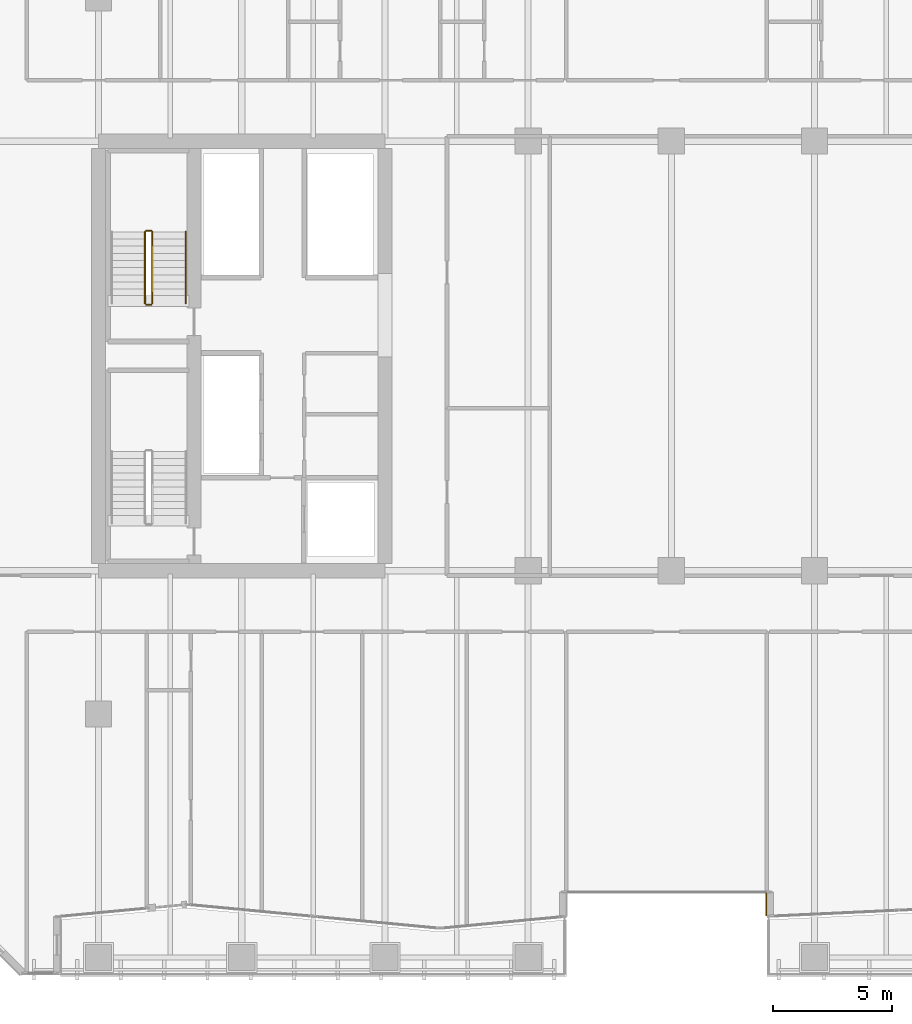
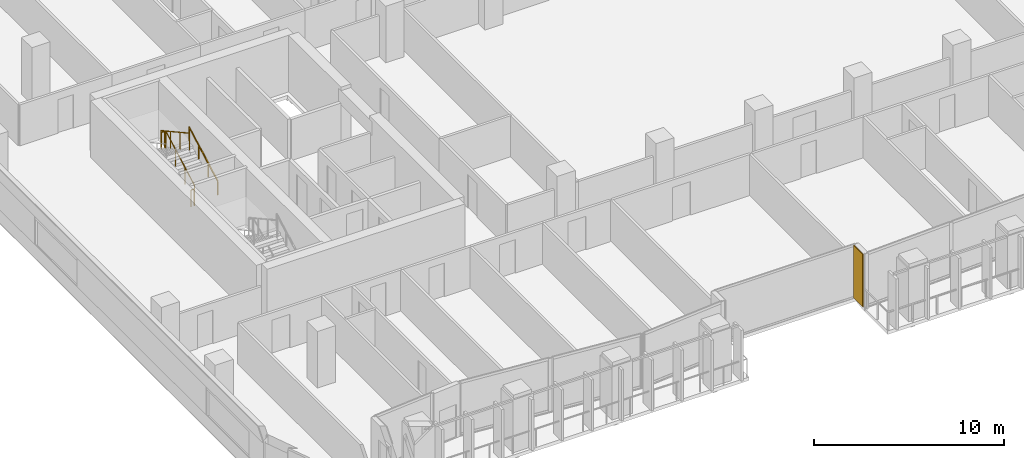
# One storey, part 28 of 31: 5 railings, 1 covering.
"""IFC4 building model written with IfcOpenShell, lengths in metres."""

from ifc_helpers import new_model, si_unit, direction, frame, origin, origin_2d, place, context, subcontext, project, spatial, rectangle, extrude, material, layer, layer_set, type_object, element, save


model = new_model("IFC4")

# Units and contexts
model_context = context("Model", 3, precision=1e-05, world=origin(), true_north=direction((0.0, 1.0)))
body_context = subcontext(model_context, "Body", "Model", "MODEL_VIEW")
ifc_project = project(units=[si_unit("LENGTHUNIT", "METRE"), si_unit("AREAUNIT", "SQUARE_METRE"), si_unit("VOLUMEUNIT", "CUBIC_METRE"), si_unit("PLANEANGLEUNIT", "RADIAN"), si_unit("MASSUNIT", "GRAM", prefix="KILO")], contexts=[model_context])

# Site, building, storey
site_placement = place(None, origin())
site = spatial("IfcSite", under=ifc_project, at=site_placement, CompositionType="ELEMENT")
building_placement = place(site_placement, origin())
building = spatial("IfcBuilding", under=site, at=building_placement, Name="Tanjung Sevakor Pilgrim Tower", CompositionType="ELEMENT")
storey_placement = place(building_placement, frame((0.0, 0.0, 58.739990234375)))
storey = spatial("IfcBuildingStorey", under=building, at=storey_placement, Name="L16", CompositionType="ELEMENT", Elevation=58.739990234375)

# Covering
ifc_material_1 = material(Name="Reconstructed Limestone Cladding", Category="masonry")
ifc_layer = layer(ifc_material_1, 0.044921875)
ifc_layer_set = layer_set([ifc_layer], Name="COV-CLAD-LIMESTONE")
covering_type = type_object("IfcCoveringType", Name="COV-CLAD-LIMESTONE", PredefinedType="CLADDING", material=ifc_layer_set)
covering_placement = place(storey_placement, frame((51.9775390625, 10.63330078125, 0.02001953125), z_axis=(0.0, 0.0, 1.0), x_axis=(0.0, -1.0, 0.0)))
element("IfcCovering", 1, at=covering_placement, inside=storey, type_object=covering_type, Name="L16 Warm Limestone Wall Cladding EW-L16-MAIN-9", PredefinedType="CLADDING", context=body_context, shape_type="SweptSolid", body=[
    extrude(rectangle(XDim=0.973388671875, YDim=0.044921875, at=origin_2d()), origin(), (0.0, 0.0, 1.0), 3.3701171875),
])

# Railings
ifc_material_2 = material(Name="Steel S355J2", Category="steel")
railing_type_1 = type_object("IfcRailingType", Name="RL-STAIR-GUARD", PredefinedType="GUARDRAIL", material=ifc_material_2)
railing_1_placement = place(storey_placement, frame((26.25, 35.800048828125, 0.1650390625)))
element("IfcRailing", 2, at=railing_1_placement, inside=storey, type_object=railing_type_1, Name="L16 TS-W2 stair guard 1", PredefinedType="GUARDRAIL", context=body_context, shape_type="SweptSolid", body=[
    extrude(rectangle(XDim=0.0479, YDim=0.0479), frame((0.0, 0.0, 1.076171875), z_axis=(0.0, 0.876227952683, 0.48189685093), x_axis=(-1.0, 0.0, 0.0)), (0.0, 0.0, 1.0), 3.423828125),
    extrude(rectangle(XDim=0.042, YDim=0.042), origin(), (0.0, 0.0, 1.0), 1.052001953125),
    extrude(rectangle(XDim=0.042, YDim=0.042), frame((0.0, 1.0, 0.550048828125)), (0.0, 0.0, 1.0), 1.052001953125),
    extrude(rectangle(XDim=0.042, YDim=0.042), frame((0.0, 2.0, 1.099853515625)), (0.0, 0.0, 1.0), 1.052001953125),
    extrude(rectangle(XDim=0.042, YDim=0.042), frame((0.0, 3.0, 1.64990234375)), (0.0, 0.0, 1.0), 1.052001953125),
])
railing_2_placement = place(storey_placement, frame((26.199951171875, 38.85009765625, 1.81494140625)))
element("IfcRailing", 3, at=railing_2_placement, inside=storey, type_object=railing_type_1, Name="L16 TS-W2 stair guard 2", PredefinedType="GUARDRAIL", context=body_context, shape_type="SweptSolid", body=[
    extrude(rectangle(XDim=0.0479, YDim=0.0479), frame((0.0, 0.0, 1.076171875), z_axis=(-1.0, 0.0, 0.0), x_axis=(0.0, -1.0, 0.0)), (0.0, 0.0, 1.0), 0.199951171875),
    extrude(rectangle(XDim=0.042, YDim=0.042), origin(), (0.0, 0.0, 1.0), 1.052001953125),
    extrude(rectangle(XDim=0.042, YDim=0.042), frame((-0.199951171875, 0.0, 0.0)), (0.0, 0.0, 1.0), 1.052001953125),
])
railing_3_placement = place(storey_placement, frame((25.949951171875, 38.800048828125, 1.97998046875)))
element("IfcRailing", 4, at=railing_3_placement, inside=storey, type_object=railing_type_1, Name="L16 TS-W2 stair guard 3", PredefinedType="GUARDRAIL", context=body_context, shape_type="SweptSolid", body=[
    extrude(rectangle(XDim=0.0479, YDim=0.0479), frame((0.0, 0.0, 1.076171875), z_axis=(0.0, -0.876197842262, 0.481951596342), x_axis=(1.0, 0.0, 0.0)), (0.0, 0.0, 1.0), 3.423828125),
    extrude(rectangle(XDim=0.042, YDim=0.042), origin(), (0.0, 0.0, 1.0), 1.052001953125),
    extrude(rectangle(XDim=0.042, YDim=0.042), frame((0.0, -1.0, 0.550048828125)), (0.0, 0.0, 1.0), 1.052001953125),
    extrude(rectangle(XDim=0.042, YDim=0.042), frame((0.0, -2.0, 1.10009765625)), (0.0, 0.0, 1.0), 1.052001953125),
    extrude(rectangle(XDim=0.042, YDim=0.042), frame((0.0, -3.0, 1.650146484375)), (0.0, 0.0, 1.0), 1.052001953125),
])
railing_4_placement = place(storey_placement, frame((26.199951171875, 35.75, 0.0)))
element("IfcRailing", 5, at=railing_4_placement, inside=storey, type_object=railing_type_1, Name="L16 TS-W2 stair guard 4", PredefinedType="GUARDRAIL", context=body_context, shape_type="SweptSolid", body=[
    extrude(rectangle(XDim=0.0479, YDim=0.0479), frame((0.0, 0.0, 1.076171875), z_axis=(-1.0, 0.0, 0.0), x_axis=(0.0, -1.0, 0.0)), (0.0, 0.0, 1.0), 0.199951171875),
    extrude(rectangle(XDim=0.042, YDim=0.042), origin(), (0.0, 0.0, 1.0), 1.052001953125),
    extrude(rectangle(XDim=0.042, YDim=0.042), frame((-0.199951171875, 0.0, 0.0)), (0.0, 0.0, 1.0), 1.052001953125),
])
ifc_material_3 = material(Name="Steel S355J2", Category="steel")
railing_type_2 = type_object("IfcRailingType", Name="RL-STAIR-HAND", PredefinedType="HANDRAIL", material=ifc_material_3)
railing_5_placement = place(storey_placement, frame((27.64990234375, 35.800048828125, 0.1650390625)))
element("IfcRailing", 6, at=railing_5_placement, inside=storey, type_object=railing_type_2, Name="L16 TS-W2 stair handrail 1", PredefinedType="HANDRAIL", context=body_context, shape_type="SweptSolid", body=[
    extrude(rectangle(XDim=0.0479, YDim=0.0479), frame((0.0, 0.0, 0.8759765625), z_axis=(0.0, 0.876227952683, 0.48189685093), x_axis=(-1.0, 0.0, 0.0)), (0.0, 0.0, 1.0), 3.423828125),
    extrude(rectangle(XDim=0.042, YDim=0.042), origin(), (0.0, 0.0, 1.0), 0.851806640625),
    extrude(rectangle(XDim=0.042, YDim=0.042), frame((0.0, 1.0, 0.550048828125)), (0.0, 0.0, 1.0), 0.851806640625),
    extrude(rectangle(XDim=0.042, YDim=0.042), frame((0.0, 2.0, 1.099853515625)), (0.0, 0.0, 1.0), 0.851806640625),
    extrude(rectangle(XDim=0.042, YDim=0.042), frame((0.0, 3.0, 1.64990234375)), (0.0, 0.0, 1.0), 0.851806640625),
])

save(model, "model.ifc")
